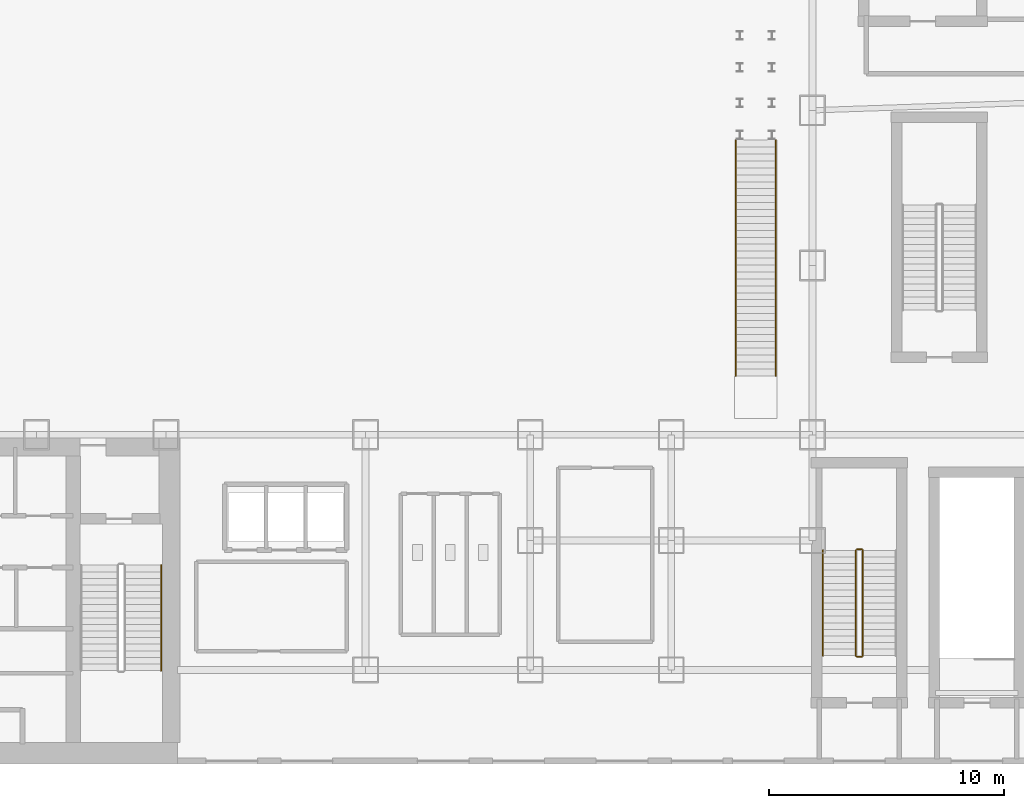
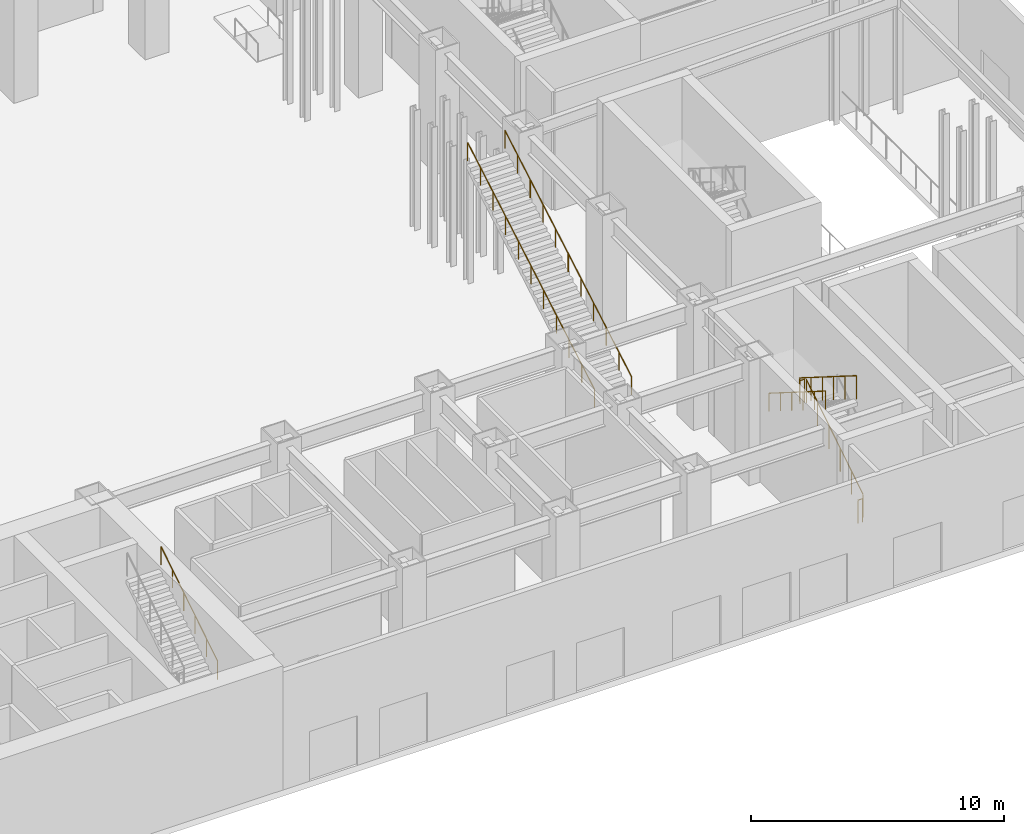
# One storey, part 18 of 25: 8 railings.
"""IFC4 building model written with IfcOpenShell, lengths in metres."""

from ifc_helpers import new_model, si_unit, derived_unit, direction, frame, origin, origin_2d, place, context, subcontext, project, spatial, circle, extrude, material, type_object, element, save


model = new_model("IFC4")

# Units and contexts
model_context = context("Model", 3, precision=1e-05, world=origin(), true_north=direction((0.0, 1.0)))
body_context = subcontext(model_context, "Body", "Model", "MODEL_VIEW")
ifc_project = project(units=[si_unit("LENGTHUNIT", "METRE"), si_unit("AREAUNIT", "SQUARE_METRE"), si_unit("VOLUMEUNIT", "CUBIC_METRE"), si_unit("PLANEANGLEUNIT", "RADIAN"), si_unit("MASSUNIT", "GRAM", prefix="KILO"), derived_unit("THERMALTRANSMITTANCEUNIT", [(si_unit("POWERUNIT", "WATT"), 1), (si_unit("LENGTHUNIT", "METRE"), -2), (si_unit("THERMODYNAMICTEMPERATUREUNIT", "KELVIN"), -1)])], contexts=[model_context])

# Site, building, storey
site_placement = place(None, origin())
site = spatial("IfcSite", under=ifc_project, at=site_placement, CompositionType="ELEMENT")
building_placement = place(site_placement, origin())
building = spatial("IfcBuilding", under=site, at=building_placement, Name="Skarnbrae Concourse Arena and Tower", CompositionType="ELEMENT")
storey_placement = place(building_placement, origin())
storey = spatial("IfcBuildingStorey", under=building, at=storey_placement, Name="L00", CompositionType="ELEMENT", Elevation=0.0)

# Railings
ifc_material = material(Name="Steel CSA G40.21 350W", Category="steel")
railing_type_1 = type_object("IfcRailingType", Name="RAIL-HANDRAIL-900", PredefinedType="HANDRAIL", material=ifc_material)
railing_1_placement = place(storey_placement, frame((33.300048828125, 3.969970703125, 3.176513671875)))
element("IfcRailing", 1, at=railing_1_placement, inside=storey, type_object=railing_type_1, Name="L00 ST-2 stair handrail 2", PredefinedType="HANDRAIL", context=body_context, shape_type="SweptSolid", body=[
    extrude(circle(Radius=0.02392578125, at=origin_2d()), frame((0.0, 0.0, 0.8759765625), z_axis=(0.0, 0.845997938375, 0.533186166611), x_axis=(-1.0, 0.0, 0.0)), (0.0, 0.0, 1.0), 5.29541015625),
    extrude(circle(Radius=0.02099609375, at=origin_2d()), origin(), (0.0, 0.0, 1.0), 0.851806640625),
    extrude(circle(Radius=0.02099609375, at=origin_2d()), frame((0.0, 0.89599609375, 0.564697265625)), (0.0, 0.0, 1.0), 0.851806640625),
    extrude(circle(Radius=0.02099609375, at=origin_2d()), frame((0.0, 1.7919921875, 1.12939453125)), (0.0, 0.0, 1.0), 0.851806640625),
    extrude(circle(Radius=0.02099609375, at=origin_2d()), frame((0.0, 2.68798828125, 1.694091796875)), (0.0, 0.0, 1.0), 0.851806640625),
    extrude(circle(Radius=0.02099609375, at=origin_2d()), frame((0.0, 3.583984375, 2.2587890625)), (0.0, 0.0, 1.0), 0.851806640625),
    extrude(circle(Radius=0.02099609375, at=origin_2d()), frame((0.0, 4.47998046875, 2.823486328125)), (0.0, 0.0, 1.0), 0.851806640625),
])
railing_2_placement = place(storey_placement, frame((61.449951171875, 9.080078125, 3.176513671875)))
element("IfcRailing", 2, at=railing_2_placement, inside=storey, type_object=railing_type_1, Name="L00 ST-A1 stair handrail 2", PredefinedType="HANDRAIL", context=body_context, shape_type="SweptSolid", body=[
    extrude(circle(Radius=0.02392578125, at=origin_2d()), frame((0.0, 0.0, 0.8759765625), z_axis=(0.0, -0.845997938375, 0.533186166611), x_axis=(1.0, 0.0, 0.0)), (0.0, 0.0, 1.0), 5.29541015625),
    extrude(circle(Radius=0.02099609375, at=origin_2d()), origin(), (0.0, 0.0, 1.0), 0.851806640625),
    extrude(circle(Radius=0.02099609375, at=origin_2d()), frame((0.0, -0.89599609375, 0.564697265625)), (0.0, 0.0, 1.0), 0.851806640625),
    extrude(circle(Radius=0.02099609375, at=origin_2d()), frame((0.0, -1.7919921875, 1.12939453125)), (0.0, 0.0, 1.0), 0.851806640625),
    extrude(circle(Radius=0.02099609375, at=origin_2d()), frame((0.0, -2.68798828125, 1.694091796875)), (0.0, 0.0, 1.0), 0.851806640625),
    extrude(circle(Radius=0.02099609375, at=origin_2d()), frame((0.0, -3.583984375, 2.2587890625)), (0.0, 0.0, 1.0), 0.851806640625),
    extrude(circle(Radius=0.02099609375, at=origin_2d()), frame((0.0, -4.47998046875, 2.823486328125)), (0.0, 0.0, 1.0), 0.851806640625),
])
for number, where, name in (
    (3, (57.75, 16.5, 0.17138671875), "ST-CONC-3 Handrail W L00"),
    (4, (59.449951171875, 16.5, 0.17138671875), "ST-CONC-3 Handrail E L00"),
):
    element("IfcRailing", number, at=place(storey_placement, frame(where)), inside=storey, type_object=railing_type_1, Name=name, PredefinedType="HANDRAIL", context=body_context, shape_type="SweptSolid", body=[
        extrude(circle(Radius=0.02392578125, at=origin_2d()), frame((0.0, 0.0, 0.8759765625), z_axis=(0.0, 0.864612012544, 0.502440113611), x_axis=(-1.0, 0.0, 0.0)), (0.0, 0.0, 1.0), 11.6005859375),
        extrude(circle(Radius=0.02099609375, at=origin_2d()), origin(), (0.0, 0.0, 1.0), 0.851806640625),
        extrude(circle(Radius=0.02099609375, at=origin_2d()), frame((0.0, 1.0029296875, 0.582763671875)), (0.0, 0.0, 1.0), 0.851806640625),
        extrude(circle(Radius=0.02099609375, at=origin_2d()), frame((0.0, 2.006103515625, 1.165771484375)), (0.0, 0.0, 1.0), 0.851806640625),
        extrude(circle(Radius=0.02099609375, at=origin_2d()), frame((0.0, 3.009033203125, 1.74853515625)), (0.0, 0.0, 1.0), 0.851806640625),
        extrude(circle(Radius=0.02099609375, at=origin_2d()), frame((0.0, 4.011962890625, 2.33154296875)), (0.0, 0.0, 1.0), 0.851806640625),
        extrude(circle(Radius=0.02099609375, at=origin_2d()), frame((0.0, 5.01513671875, 2.914306640625)), (0.0, 0.0, 1.0), 0.851806640625),
        extrude(circle(Radius=0.02099609375, at=origin_2d()), frame((0.0, 6.01806640625, 3.4970703125)), (0.0, 0.0, 1.0), 0.851806640625),
        extrude(circle(Radius=0.02099609375, at=origin_2d()), frame((0.0, 7.02099609375, 4.080078125)), (0.0, 0.0, 1.0), 0.851806640625),
        extrude(circle(Radius=0.02099609375, at=origin_2d()), frame((0.0, 8.02392578125, 4.662841796875)), (0.0, 0.0, 1.0), 0.851806640625),
        extrude(circle(Radius=0.02099609375, at=origin_2d()), frame((0.0, 9.027099609375, 5.245849609375)), (0.0, 0.0, 1.0), 0.851806640625),
        extrude(circle(Radius=0.02099609375, at=origin_2d()), frame((0.0, 10.030029296875, 5.82861328125)), (0.0, 0.0, 1.0), 0.851806640625),
    ])
railing_type_2 = type_object("IfcRailingType", Name="RAIL-STAIR-GUARD-1150", PredefinedType="GUARDRAIL", material=ifc_material)
railing_3_placement = place(storey_placement, frame((63.14990234375, 4.60009765625, 0.176513671875)))
element("IfcRailing", 5, at=railing_3_placement, inside=storey, type_object=railing_type_2, Name="L00 ST-A1 stair guard 1", PredefinedType="GUARDRAIL", context=body_context, shape_type="SweptSolid", body=[
    extrude(circle(Radius=0.02392578125, at=origin_2d()), frame((0.0, 0.0, 1.1259765625), z_axis=(0.0, 0.845997938375, 0.533186166611), x_axis=(-1.0, 0.0, 0.0)), (0.0, 0.0, 1.0), 5.29541015625),
    extrude(circle(Radius=0.02099609375, at=origin_2d()), origin(), (0.0, 0.0, 1.0), 1.101806640625),
    extrude(circle(Radius=0.02099609375, at=origin_2d()), frame((0.0, 0.89599609375, 0.564697265625)), (0.0, 0.0, 1.0), 1.101806640625),
    extrude(circle(Radius=0.02099609375, at=origin_2d()), frame((0.0, 1.7919921875, 1.12939453125)), (0.0, 0.0, 1.0), 1.101806640625),
    extrude(circle(Radius=0.02099609375, at=origin_2d()), frame((0.0, 2.68798828125, 1.694091796875)), (0.0, 0.0, 1.0), 1.101806640625),
    extrude(circle(Radius=0.02099609375, at=origin_2d()), frame((0.0, 3.583984375, 2.2587890625)), (0.0, 0.0, 1.0), 1.101806640625),
    extrude(circle(Radius=0.02099609375, at=origin_2d()), frame((0.0, 4.47998046875, 2.823486328125)), (0.0, 0.0, 1.0), 1.101806640625),
])
railing_4_placement = place(storey_placement, frame((63.10009765625, 9.1298828125, 3.0)))
element("IfcRailing", 6, at=railing_4_placement, inside=storey, type_object=railing_type_2, Name="L00 ST-A1 stair guard 2", PredefinedType="GUARDRAIL", context=body_context, shape_type="SweptSolid", body=[
    extrude(circle(Radius=0.02392578125, at=origin_2d()), frame((0.0, 0.0, 1.1259765625), z_axis=(-1.0, 0.0, 0.0), x_axis=(0.0, -1.0, 0.0)), (0.0, 0.0, 1.0), 0.2001953125),
    extrude(circle(Radius=0.02099609375, at=origin_2d()), origin(), (0.0, 0.0, 1.0), 1.101806640625),
    extrude(circle(Radius=0.02099609375, at=origin_2d()), frame((-0.2001953125, 0.0, 0.0)), (0.0, 0.0, 1.0), 1.101806640625),
])
railing_5_placement = place(storey_placement, frame((62.85009765625, 9.080078125, 3.176513671875)))
element("IfcRailing", 7, at=railing_5_placement, inside=storey, type_object=railing_type_2, Name="L00 ST-A1 stair guard 3", PredefinedType="GUARDRAIL", context=body_context, shape_type="SweptSolid", body=[
    extrude(circle(Radius=0.02392578125, at=origin_2d()), frame((0.0, 0.0, 1.1259765625), z_axis=(0.0, -0.845997938375, 0.533186166611), x_axis=(1.0, 0.0, 0.0)), (0.0, 0.0, 1.0), 5.29541015625),
    extrude(circle(Radius=0.02099609375, at=origin_2d()), origin(), (0.0, 0.0, 1.0), 1.101806640625),
    extrude(circle(Radius=0.02099609375, at=origin_2d()), frame((0.0, -0.89599609375, 0.564697265625)), (0.0, 0.0, 1.0), 1.101806640625),
    extrude(circle(Radius=0.02099609375, at=origin_2d()), frame((0.0, -1.7919921875, 1.12939453125)), (0.0, 0.0, 1.0), 1.101806640625),
    extrude(circle(Radius=0.02099609375, at=origin_2d()), frame((0.0, -2.68798828125, 1.694091796875)), (0.0, 0.0, 1.0), 1.101806640625),
    extrude(circle(Radius=0.02099609375, at=origin_2d()), frame((0.0, -3.583984375, 2.2587890625)), (0.0, 0.0, 1.0), 1.101806640625),
    extrude(circle(Radius=0.02099609375, at=origin_2d()), frame((0.0, -4.47998046875, 2.823486328125)), (0.0, 0.0, 1.0), 1.101806640625),
])
railing_6_placement = place(storey_placement, frame((63.10009765625, 4.550048828125, 0.0)))
element("IfcRailing", 8, at=railing_6_placement, inside=storey, type_object=railing_type_2, Name="L00 ST-A1 stair guard 4", PredefinedType="GUARDRAIL", context=body_context, shape_type="SweptSolid", body=[
    extrude(circle(Radius=0.02392578125, at=origin_2d()), frame((0.0, 0.0, 1.1259765625), z_axis=(-1.0, 0.0, 0.0), x_axis=(0.0, -1.0, 0.0)), (0.0, 0.0, 1.0), 0.2001953125),
    extrude(circle(Radius=0.02099609375, at=origin_2d()), origin(), (0.0, 0.0, 1.0), 1.101806640625),
    extrude(circle(Radius=0.02099609375, at=origin_2d()), frame((-0.2001953125, 0.0, 0.0)), (0.0, 0.0, 1.0), 1.101806640625),
])

save(model, "model.ifc")
